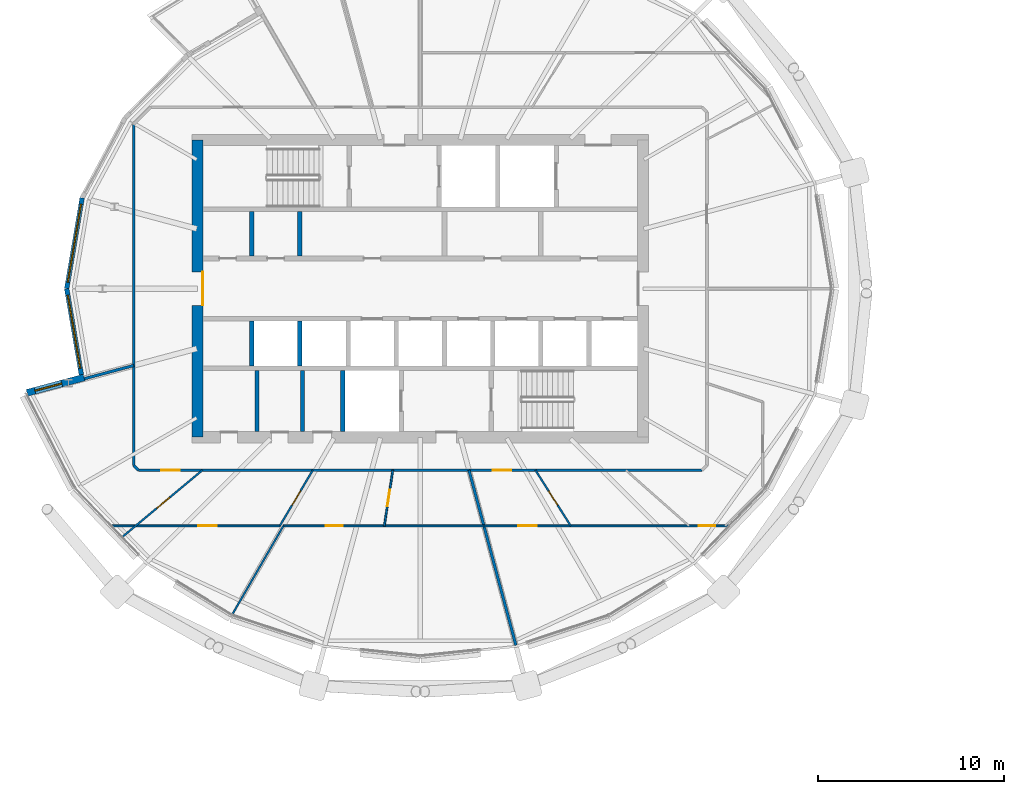
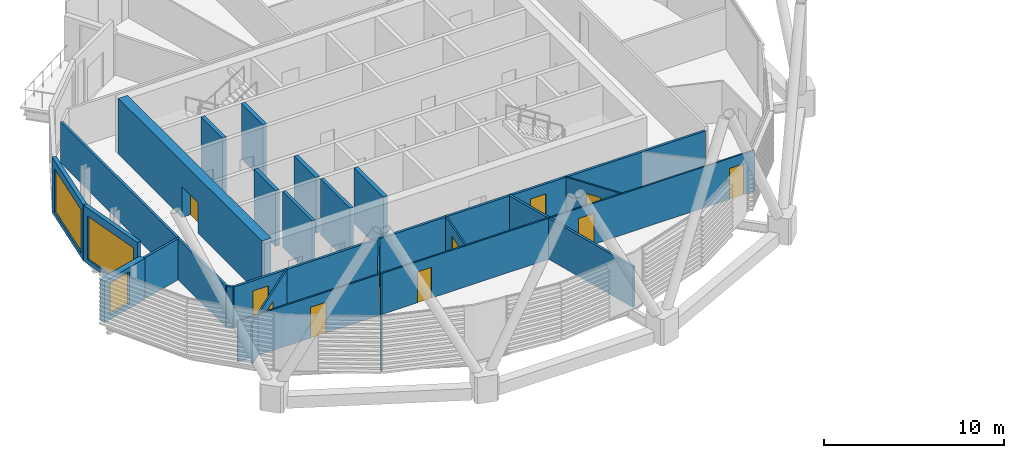
# One storey, part 21 of 37: 24 walls, 11 doors, 3 windows, 14 openings.
"""IFC4 building model written with IfcOpenShell, lengths in metres."""

from ifc_helpers import new_model, si_unit, direction, frame, frame_2d, origin, place, context, subcontext, project, spatial, rectangle, extrude, material, layer, layer_set, type_object, element, fill, save


model = new_model("IFC4")

# Units and contexts
model_context = context("Model", 3, precision=1e-05, world=origin(), true_north=direction((0.0, 1.0)))
body_context = subcontext(model_context, "Body", "Model", "MODEL_VIEW")
ifc_project = project(units=[si_unit("LENGTHUNIT", "METRE"), si_unit("AREAUNIT", "SQUARE_METRE"), si_unit("VOLUMEUNIT", "CUBIC_METRE"), si_unit("PLANEANGLEUNIT", "RADIAN"), si_unit("MASSUNIT", "GRAM", prefix="KILO")], contexts=[model_context])

# Site, building, storey
site_placement = place(None, origin())
site = spatial("IfcSite", under=ifc_project, at=site_placement, CompositionType="ELEMENT")
building_placement = place(site_placement, origin())
building = spatial("IfcBuilding", under=site, at=building_placement, Name="Rimbun Link Towers", CompositionType="ELEMENT")
storey_placement = place(building_placement, frame((0.0, 0.0, 170.300048828125)))
storey = spatial("IfcBuildingStorey", under=building, at=storey_placement, Name="L41", CompositionType="ELEMENT", Elevation=170.300048828125)

# Wall, opening, window
ifc_material_1 = material(Name="Dark enamelled glass spandrel on insulated aluminium backpan", Category="aluminium")
ifc_layer_1 = layer(ifc_material_1, 0.25)
ifc_layer_set_1 = layer_set([ifc_layer_1], Name="CS dark enamelled spandrel wall 250")
wall_type_1 = type_object("IfcWallType", Name="CS dark enamelled spandrel wall 250", PredefinedType="STANDARD", material=ifc_layer_set_1)
wall_1_placement = place(storey_placement, frame((-50.79541015625, 0.0, 0.0), z_axis=(0.0, 0.0, 1.0), x_axis=(0.16766295231, 0.985844376371, 0.0)))
wall_1 = element("IfcWall", 1, at=wall_1_placement, inside=storey, type_object=wall_type_1, Name="Crease spandrel wall", PredefinedType="STANDARD", context=body_context, shape_type="SweptSolid", body=[
    extrude(rectangle(XDim=4.959716796875, YDim=0.25, at=frame_2d((2.47998046875, 0.0))), origin(), (0.0, 0.0, 1.0), 3.800048828125),
])
opening_1_placement = place(wall_1_placement, frame((0.354736328125, 0.0, 0.300048828125)))
opening_1 = element("IfcOpeningElement", 2, at=opening_1_placement, cuts=wall_1, Name="Opening WR42H295", PredefinedType="OPENING", context=body_context, shape_type="SweptSolid", body=[
    extrude(rectangle(XDim=4.25, YDim=2.949951171875, at=frame_2d((2.125, 1.47509765625))), frame((0.0, 0.135009765625, 0.0), z_axis=(0.0, -1.0, 0.0), x_axis=(1.0, 0.0, 0.0)), (0.0, 0.0, 1.0), 0.27001953125),
])
ifc_material_2 = material(Name="Aluminium framed fixed window, dark tinted low-e glass", Category="aluminium")
window_type_1 = type_object("IfcWindowType", Name="WR ribbon window 4250X2950", PartitioningType="SINGLE_PANEL", PredefinedType="WINDOW", material=ifc_material_2)
window_1_placement = place(opening_1_placement, origin())
window_1 = element("IfcWindow", 3, at=window_1_placement, inside=storey, type_object=window_type_1, Name="Crease ribbon window", OverallHeight=2.949951171875, OverallWidth=4.25, PartitioningType="SINGLE_PANEL", PredefinedType="WINDOW", context=body_context, shape_type="SweptSolid", body=[
    extrude(rectangle(XDim=4.25, YDim=2.949951171875, at=frame_2d((2.125, 1.47509765625))), frame((0.0, 0.030029296875, 0.0), z_axis=(0.0, -1.0, 0.0), x_axis=(1.0, 0.0, 0.0)), (0.0, 0.0, 1.0), 0.06005859375),
])
fill(opening_1, window_1)

wall_2_placement = place(storey_placement, frame((-50.007568359375, -4.63330078125, 0.0), z_axis=(0.0, 0.0, 1.0), x_axis=(-0.167632854834, 0.985849494588, 0.0)))
wall_2 = element("IfcWall", 4, at=wall_2_placement, inside=storey, type_object=wall_type_1, Name="Crease spandrel wall", PredefinedType="STANDARD", context=body_context, shape_type="SweptSolid", body=[
    extrude(rectangle(XDim=4.69970703125, YDim=0.25, at=frame_2d((2.349853515625, 0.0))), origin(), (0.0, 0.0, 1.0), 3.800048828125),
])
opening_2_placement = place(wall_2_placement, frame((0.349853515625, 0.0, 0.300048828125)))
opening_2 = element("IfcOpeningElement", 5, at=opening_2_placement, cuts=wall_2, Name="Opening WR40H295", PredefinedType="OPENING", context=body_context, shape_type="SweptSolid", body=[
    extrude(rectangle(XDim=4.0, YDim=2.949951171875, at=frame_2d((2.0, 1.47509765625))), frame((0.0, 0.135009765625, 0.0), z_axis=(0.0, -1.0, 0.0), x_axis=(1.0, 0.0, 0.0)), (0.0, 0.0, 1.0), 0.27001953125),
])
ifc_material_3 = material(Name="Aluminium framed fixed window, dark tinted low-e glass", Category="aluminium")
window_type_2 = type_object("IfcWindowType", Name="WR ribbon window 4000X2950", PartitioningType="SINGLE_PANEL", PredefinedType="WINDOW", material=ifc_material_3)
window_2_placement = place(opening_2_placement, origin())
window_2 = element("IfcWindow", 6, at=window_2_placement, inside=storey, type_object=window_type_2, Name="Crease ribbon window", OverallHeight=2.949951171875, OverallWidth=4.0, PartitioningType="SINGLE_PANEL", PredefinedType="WINDOW", context=body_context, shape_type="SweptSolid", body=[
    extrude(rectangle(XDim=4.0, YDim=2.949951171875, at=frame_2d((2.0, 1.47509765625))), frame((0.0, 0.030029296875, 0.0), z_axis=(0.0, -1.0, 0.0), x_axis=(1.0, 0.0, 0.0)), (0.0, 0.0, 1.0), 0.06005859375),
])
fill(opening_2, window_2)

ifc_material_4 = material(Name="Dark enamelled glass spandrel on insulated aluminium backpan", Category="aluminium")
ifc_layer_2 = layer(ifc_material_4, 0.3701171875)
ifc_layer_set_2 = layer_set([ifc_layer_2], Name="CS dark enamelled spandrel wall 370")
wall_type_2 = type_object("IfcWallType", Name="CS dark enamelled spandrel wall 370", PredefinedType="STANDARD", material=ifc_layer_set_2)
wall_3_placement = place(storey_placement, frame((-52.9326171875, -5.608642578125, 0.0), z_axis=(0.0, 0.0, 1.0), x_axis=(0.96591309558, 0.258866552082, 0.0)))
wall_3 = element("IfcWall", 7, at=wall_3_placement, inside=storey, type_object=wall_type_2, Name="Crease spandrel wall", PredefinedType="STANDARD", context=body_context, shape_type="SweptSolid", body=[
    extrude(rectangle(XDim=3.18017578125, YDim=0.3701171875, at=frame_2d((1.590087890625, 0.0))), origin(), (0.0, 0.0, 1.0), 2.799072265625),
])
opening_3_placement = place(wall_3_placement, frame((0.44140625, 0.0, 0.300048828125)))
opening_3 = element("IfcOpeningElement", 8, at=opening_3_placement, cuts=wall_3, Name="Opening WR15H220", PredefinedType="OPENING", context=body_context, shape_type="SweptSolid", body=[
    extrude(rectangle(XDim=1.5, YDim=2.199951171875, at=frame_2d((0.75, 1.10009765625))), frame((0.0, 0.195068359375, 0.0), z_axis=(0.0, -1.0, 0.0), x_axis=(1.0, 0.0, 0.0)), (0.0, 0.0, 1.0), 0.39013671875),
])
ifc_material_5 = material(Name="Aluminium framed fixed window, dark tinted low-e glass", Category="aluminium")
window_type_3 = type_object("IfcWindowType", Name="WR ribbon window 1500X2200", PartitioningType="SINGLE_PANEL", PredefinedType="WINDOW", material=ifc_material_5)
window_3_placement = place(opening_3_placement, origin())
window_3 = element("IfcWindow", 9, at=window_3_placement, inside=storey, type_object=window_type_3, Name="Crease ribbon window", OverallHeight=2.199951171875, OverallWidth=1.5, PartitioningType="SINGLE_PANEL", PredefinedType="WINDOW", context=body_context, shape_type="SweptSolid", body=[
    extrude(rectangle(XDim=1.5, YDim=2.199951171875, at=frame_2d((0.75, 1.10009765625))), frame((0.0, 0.030029296875, 0.0), z_axis=(0.0, -1.0, 0.0), x_axis=(1.0, 0.0, 0.0)), (0.0, 0.0, 1.0), 0.06005859375),
])
fill(opening_3, window_3)

# Walls
ifc_material_6 = material(Name="Masonry blockwork", Category="masonry")
ifc_layer_3 = layer(ifc_material_6, 0.199951171875)
ifc_layer_set_3 = layer_set([ifc_layer_3], Name="Core partition 200")
wall_type_3 = type_object("IfcWallType", Name="Core partition 200", PredefinedType="PARTITIONING", material=ifc_layer_set_3)
for number, where, z_axis, x_axis, name in (
    (10, (-40.550048828125, -4.39990234375, 0.0), (0.0, 0.0, 1.0), (0.0, -1.0, 0.0), "L41 T1 core wall C1"),
    (11, (-38.10009765625, -4.39990234375, 0.0), (0.0, 0.0, 1.0), (0.0, -1.0, 0.0), "L41 T1 core wall C2"),
):
    element("IfcWall", number, at=place(storey_placement, frame(where, z_axis=z_axis, x_axis=x_axis)), inside=storey, type_object=wall_type_3, Name=name, PredefinedType="PARTITIONING", context=body_context, shape_type="SweptSolid", body=[
        extrude(rectangle(XDim=3.300048828125, YDim=0.199951171875, at=frame_2d((1.64990234375, 0.0))), origin(), (0.0, 0.0, 1.0), 3.800048828125),
    ])

# Wall, opening, door
ifc_material_7 = material(Name="Concrete C60/75", Category="concrete")
ifc_layer_4 = layer(ifc_material_7, 0.60009765625)
ifc_layer_set_4 = layer_set([ifc_layer_4], Name="Core shear wall 600")
wall_type_4 = type_object("IfcWallType", Name="Core shear wall 600", PredefinedType="SHEAR", material=ifc_layer_set_4)
wall_4_placement = place(storey_placement, frame((-43.75, -8.0, 0.0), z_axis=(0.0, 0.0, 1.0), x_axis=(0.0, 1.0, 0.0)))
wall_4 = element("IfcWall", 12, at=wall_4_placement, inside=storey, type_object=wall_type_4, Name="L41 T1 core wall W", PredefinedType="SHEAR", context=body_context, shape_type="SweptSolid", body=[
    extrude(rectangle(XDim=16.0, YDim=0.60009765625, at=frame_2d((8.0, 0.0))), origin(), (0.0, 0.0, 1.0), 3.800048828125),
])
opening_4_placement = place(wall_4_placement, frame((7.10009765625, 0.0, 0.0)))
opening_4 = element("IfcOpeningElement", 13, at=opening_4_placement, cuts=wall_4, Name="Opening C1DCL01W", PredefinedType="OPENING", context=body_context, shape_type="SweptSolid", body=[
    extrude(rectangle(XDim=1.800048828125, YDim=2.10009765625, at=frame_2d((0.89990234375, 1.050048828125))), frame((0.0, 0.31005859375, 0.0), z_axis=(0.0, -1.0, 0.0), x_axis=(1.0, 0.0, 0.0)), (0.0, 0.0, 1.0), 0.6201171875),
])
ifc_material_8 = material(Name="Steel fire door set", Category="steel")
door_type_1 = type_object("IfcDoorType", Name="Core lobby door double", OperationType="DOUBLE_DOOR_SINGLE_SWING", PredefinedType="DOOR", material=ifc_material_8)
door_1_placement = place(opening_4_placement, origin())
door_1 = element("IfcDoor", 14, at=door_1_placement, inside=storey, type_object=door_type_1, Name="L41 T1 lift lobby door", OperationType="DOUBLE_DOOR_SINGLE_SWING", OverallHeight=2.10009765625, OverallWidth=1.800048828125, PredefinedType="DOOR", context=body_context, shape_type="SweptSolid", body=[
    extrude(rectangle(XDim=1.800048828125, YDim=2.10009765625, at=frame_2d((0.89990234375, 1.050048828125))), frame((0.0, -0.25, 0.0), z_axis=(0.0, -1.0, 0.0), x_axis=(1.0, 0.0, 0.0)), (0.0, 0.0, 1.0), 0.050048828125),
])
fill(opening_4, door_1)

# Wall, openings, doors
ifc_material_9 = material(Name="Plasterboard on steel stud, mineral wool", Category="steel")
ifc_layer_5 = layer(ifc_material_9, 0.14990234375)
ifc_layer_set_5 = layer_set([ifc_layer_5], Name="Corridor wall EI 30 150 mm")
wall_type_5 = type_object("IfcWallType", Name="Corridor wall EI 30 150 mm", PredefinedType="PARTITIONING", material=ifc_layer_set_5)
wall_5_placement = place(storey_placement, frame((-16.576416015625, -9.77490234375, 0.0), z_axis=(0.0, 0.0, 1.0), x_axis=(-1.0, 0.0, 0.0)))
wall_5 = element("IfcWall", 15, at=wall_5_placement, inside=storey, type_object=wall_type_5, Name="Corridor wall EI 30 150 mm", PredefinedType="PARTITIONING", context=body_context, shape_type="SweptSolid", body=[
    extrude(rectangle(XDim=30.34716796875, YDim=0.14990234375, at=frame_2d((15.173583984375, 0.0))), origin(), (0.0, 0.0, 1.0), 2.7890625),
])
opening_5_placement = place(wall_5_placement, frame((28.128662109375, 0.0, 0.0)))
opening_5 = element("IfcOpeningElement", 16, at=opening_5_placement, cuts=wall_5, Name="Opening D01", PredefinedType="OPENING", context=body_context, shape_type="SweptSolid", body=[
    extrude(rectangle(XDim=1.0, YDim=2.10009765625, at=frame_2d((0.5, 1.050048828125))), frame((0.0, 0.0849609375, 0.0), z_axis=(0.0, -1.0, 0.0), x_axis=(1.0, 0.0, 0.0)), (0.0, 0.0, 1.0), 0.169921875),
])
opening_6_placement = place(wall_5_placement, frame((10.264892578125, 0.0, 0.0)))
opening_6 = element("IfcOpeningElement", 17, at=opening_6_placement, cuts=wall_5, Name="Opening D01", PredefinedType="OPENING", context=body_context, shape_type="SweptSolid", body=[
    extrude(rectangle(XDim=1.0, YDim=2.10009765625, at=frame_2d((0.5, 1.050048828125))), frame((0.0, 0.0849609375, 0.0), z_axis=(0.0, -1.0, 0.0), x_axis=(1.0, 0.0, 0.0)), (0.0, 0.0, 1.0), 0.169921875),
])
ifc_material_10 = material(Name="Fire-resisting timber door leaf", Category="wood")
door_type_2 = type_object("IfcDoorType", Name="Fire door FD30S 1000", OperationType="NOTDEFINED", PredefinedType="DOOR", material=ifc_material_10)
door_2_placement = place(opening_5_placement, origin())
door_2 = element("IfcDoor", 18, at=door_2_placement, inside=storey, type_object=door_type_2, Name="Fire door FD30S 1000 to Tenant lobby", OperationType="SINGLE_SWING_RIGHT", OverallHeight=2.10009765625, OverallWidth=1.0, PredefinedType="DOOR", context=body_context, shape_type="SweptSolid", body=[
    extrude(rectangle(XDim=1.0, YDim=2.10009765625, at=frame_2d((0.5, 1.050048828125))), frame((0.0, 0.02490234375, 0.0), z_axis=(0.0, -1.0, 0.0), x_axis=(1.0, 0.0, 0.0)), (0.0, 0.0, 1.0), 0.050048828125),
])
fill(opening_5, door_2)
door_3_placement = place(opening_6_placement, origin())
door_3 = element("IfcDoor", 19, at=door_3_placement, inside=storey, type_object=door_type_2, Name="Fire door FD30S 1000 to Tenant lobby", OperationType="SINGLE_SWING_RIGHT", OverallHeight=2.10009765625, OverallWidth=1.0, PredefinedType="DOOR", context=body_context, shape_type="SweptSolid", body=[
    extrude(rectangle(XDim=1.0, YDim=2.10009765625, at=frame_2d((0.5, 1.050048828125))), frame((0.0, 0.02490234375, 0.0), z_axis=(0.0, -1.0, 0.0), x_axis=(1.0, 0.0, 0.0)), (0.0, 0.0, 1.0), 0.050048828125),
])
fill(opening_6, door_3)

# Walls
wall_6_placement = place(storey_placement, frame((-47.18505859375, -9.513671875, 0.0), z_axis=(0.0, 0.0, 1.0), x_axis=(0.707436973419, -0.706776434695, 0.0)))
element("IfcWall", 20, at=wall_6_placement, inside=storey, type_object=wall_type_5, Name="Corridor wall EI 30 150 mm", PredefinedType="PARTITIONING", context=body_context, shape_type="SweptSolid", body=[
    extrude(rectangle(XDim=0.36962890625, YDim=0.14990234375, at=frame_2d((0.184814453125, 0.0))), origin(), (0.0, 0.0, 1.0), 2.7890625),
])
wall_7_placement = place(storey_placement, frame((-47.18505859375, 8.8544921875, 0.0), z_axis=(0.0, 0.0, 1.0), x_axis=(0.0, -1.0, 0.0)))
element("IfcWall", 21, at=wall_7_placement, inside=storey, type_object=wall_type_5, Name="Corridor wall EI 30 150 mm", PredefinedType="PARTITIONING", context=body_context, shape_type="SweptSolid", body=[
    extrude(rectangle(XDim=18.3681640625, YDim=0.14990234375, at=frame_2d((9.18408203125, 0.0))), origin(), (0.0, 0.0, 1.0), 2.7890625),
])

# Wall, opening, door
ifc_material_11 = material(Name="Plasterboard on steel stud", Category="steel")
ifc_layer_6 = layer(ifc_material_11, 0.10009765625)
ifc_layer_set_6 = layer_set([ifc_layer_6], Name="Plasterboard partition 100 mm")
wall_type_6 = type_object("IfcWallType", Name="Plasterboard partition 100 mm", PredefinedType="PARTITIONING", material=ifc_layer_set_6)
wall_8_placement = place(storey_placement, frame((-43.486328125, -9.77490234375, 0.0), z_axis=(0.0, 0.0, 1.0), x_axis=(-0.768385030007, -0.639987848057, 0.0)))
wall_8 = element("IfcWall", 22, at=wall_8_placement, inside=storey, type_object=wall_type_6, Name="Plasterboard partition 100 mm", PredefinedType="PARTITIONING", context=body_context, shape_type="SweptSolid", body=[
    extrude(rectangle(XDim=5.62060546875, YDim=0.10009765625, at=frame_2d((2.810302734375, 0.0))), origin(), (0.0, 0.0, 1.0), 2.7890625),
])
opening_7_placement = place(wall_8_placement, frame((2.293701171875, 0.0, 0.0)))
opening_7 = element("IfcOpeningElement", 23, at=opening_7_placement, cuts=wall_8, Name="Opening D04", PredefinedType="OPENING", context=body_context, shape_type="SweptSolid", body=[
    extrude(rectangle(XDim=0.89990234375, YDim=2.10009765625, at=frame_2d((0.449951171875, 1.050048828125))), frame((0.0, 0.06005859375, 0.0), z_axis=(0.0, -1.0, 0.0), x_axis=(1.0, 0.0, 0.0)), (0.0, 0.0, 1.0), 0.1201171875),
])
ifc_material_12 = material(Name="Timber door leaf", Category="wood")
door_type_3 = type_object("IfcDoorType", Name="Flush door 900", OperationType="NOTDEFINED", PredefinedType="DOOR", material=ifc_material_12)
door_4_placement = place(opening_7_placement, origin())
door_4 = element("IfcDoor", 24, at=door_4_placement, inside=storey, type_object=door_type_3, Name="Flush door 900 to Huddle room", OperationType="SINGLE_SWING_RIGHT", OverallHeight=2.10009765625, OverallWidth=0.89990234375, PredefinedType="DOOR", context=body_context, shape_type="SweptSolid", body=[
    extrude(rectangle(XDim=0.89990234375, YDim=2.10009765625, at=frame_2d((0.449951171875, 1.050048828125))), frame((0.0, 0.02490234375, 0.0), z_axis=(0.0, -1.0, 0.0), x_axis=(1.0, 0.0, 0.0)), (0.0, 0.0, 1.0), 0.050048828125),
])
fill(opening_7, door_4)

wall_9_placement = place(storey_placement, frame((-39.28662109375, -12.77490234375, 0.0), z_axis=(0.0, 0.0, 1.0), x_axis=(-1.0, 0.0, 0.0)))
wall_9 = element("IfcWall", 25, at=wall_9_placement, inside=storey, type_object=wall_type_6, Name="Plasterboard partition 100 mm", PredefinedType="PARTITIONING", context=body_context, shape_type="SweptSolid", body=[
    extrude(rectangle(XDim=9.085205078125, YDim=0.10009765625, at=frame_2d((4.54248046875, 0.0))), origin(), (0.0, 0.0, 1.0), 2.7890625),
])
opening_8_placement = place(wall_9_placement, frame((3.416015625, 0.0, 0.0)))
opening_8 = element("IfcOpeningElement", 26, at=opening_8_placement, cuts=wall_9, Name="Opening D03", PredefinedType="OPENING", context=body_context, shape_type="SweptSolid", body=[
    extrude(rectangle(XDim=1.0, YDim=2.10009765625, at=frame_2d((0.5, 1.050048828125))), frame((0.0, 0.06005859375, 0.0), z_axis=(0.0, -1.0, 0.0), x_axis=(1.0, 0.0, 0.0)), (0.0, 0.0, 1.0), 0.1201171875),
])
ifc_material_13 = material(Name="Timber door leaf", Category="wood")
door_type_4 = type_object("IfcDoorType", Name="Flush door 1000", OperationType="NOTDEFINED", PredefinedType="DOOR", material=ifc_material_13)
door_5_placement = place(opening_8_placement, origin())
door_5 = element("IfcDoor", 27, at=door_5_placement, inside=storey, type_object=door_type_4, Name="Flush door 1000 to Open office", OperationType="SINGLE_SWING_RIGHT", OverallHeight=2.10009765625, OverallWidth=1.0, PredefinedType="DOOR", context=body_context, shape_type="SweptSolid", body=[
    extrude(rectangle(XDim=1.0, YDim=2.10009765625, at=frame_2d((0.5, 1.050048828125))), frame((0.0, 0.02490234375, 0.0), z_axis=(0.0, -1.0, 0.0), x_axis=(1.0, 0.0, 0.0)), (0.0, 0.0, 1.0), 0.050048828125),
])
fill(opening_8, door_5)

wall_10_placement = place(storey_placement, frame((-37.54345703125, -9.77490234375, 0.0), z_axis=(0.0, 0.0, 1.0), x_axis=(-0.509865715638, -0.86025400436, 0.0)))
wall_10 = element("IfcWall", 28, at=wall_10_placement, inside=storey, type_object=wall_type_6, Name="Plasterboard partition 100 mm", PredefinedType="PARTITIONING", context=body_context, shape_type="SweptSolid", body=[
    extrude(rectangle(XDim=3.4873046875, YDim=0.10009765625, at=frame_2d((1.74365234375, 0.0))), origin(), (0.0, 0.0, 1.0), 2.7890625),
])
opening_9_placement = place(wall_10_placement, frame((1.293701171875, 0.0, 0.0)))
opening_9 = element("IfcOpeningElement", 29, at=opening_9_placement, cuts=wall_10, Name="Opening D04", PredefinedType="OPENING", context=body_context, shape_type="SweptSolid", body=[
    extrude(rectangle(XDim=0.89990234375, YDim=2.10009765625, at=frame_2d((0.449951171875, 1.050048828125))), frame((0.0, 0.06005859375, 0.0), z_axis=(0.0, -1.0, 0.0), x_axis=(1.0, 0.0, 0.0)), (0.0, 0.0, 1.0), 0.1201171875),
])
door_6_placement = place(opening_9_placement, origin())
door_6 = element("IfcDoor", 30, at=door_6_placement, inside=storey, type_object=door_type_3, Name="Flush door 900 to Huddle room", OperationType="SINGLE_SWING_RIGHT", OverallHeight=2.10009765625, OverallWidth=0.89990234375, PredefinedType="DOOR", context=body_context, shape_type="SweptSolid", body=[
    extrude(rectangle(XDim=0.89990234375, YDim=2.10009765625, at=frame_2d((0.449951171875, 1.050048828125))), frame((0.0, 0.02490234375, 0.0), z_axis=(0.0, -1.0, 0.0), x_axis=(1.0, 0.0, 0.0)), (0.0, 0.0, 1.0), 0.050048828125),
])
fill(opening_9, door_6)

wall_11_placement = place(storey_placement, frame((-33.23388671875, -9.77490234375, 0.0), z_axis=(0.0, 0.0, 1.0), x_axis=(-0.15013428037, -0.988665614785, 0.0)))
wall_11 = element("IfcWall", 31, at=wall_11_placement, inside=storey, type_object=wall_type_6, Name="Plasterboard partition 100 mm", PredefinedType="PARTITIONING", context=body_context, shape_type="SweptSolid", body=[
    extrude(rectangle(XDim=3.034423828125, YDim=0.10009765625, at=frame_2d((1.51708984375, 0.0))), origin(), (0.0, 0.0, 1.0), 2.7890625),
])
opening_10_placement = place(wall_11_placement, frame((1.067138671875, 0.0, 0.0)))
opening_10 = element("IfcOpeningElement", 32, at=opening_10_placement, cuts=wall_11, Name="Opening D04", PredefinedType="OPENING", context=body_context, shape_type="SweptSolid", body=[
    extrude(rectangle(XDim=0.89990234375, YDim=2.10009765625, at=frame_2d((0.449951171875, 1.050048828125))), frame((0.0, 0.06005859375, 0.0), z_axis=(0.0, -1.0, 0.0), x_axis=(1.0, 0.0, 0.0)), (0.0, 0.0, 1.0), 0.1201171875),
])
door_7_placement = place(opening_10_placement, origin())
door_7 = element("IfcDoor", 33, at=door_7_placement, inside=storey, type_object=door_type_3, Name="Flush door 900 to Pantry", OperationType="SINGLE_SWING_LEFT", OverallHeight=2.10009765625, OverallWidth=0.89990234375, PredefinedType="DOOR", context=body_context, shape_type="SweptSolid", body=[
    extrude(rectangle(XDim=0.89990234375, YDim=2.10009765625, at=frame_2d((0.449951171875, 1.050048828125))), frame((0.0, 0.02490234375, 0.0), z_axis=(0.0, -1.0, 0.0), x_axis=(1.0, 0.0, 0.0)), (0.0, 0.0, 1.0), 0.050048828125),
])
fill(opening_10, door_7)

wall_12_placement = place(storey_placement, frame((-28.326904296875, -12.77490234375, 0.0), z_axis=(0.0, 0.0, 1.0), x_axis=(-1.0, 0.0, 0.0)))
wall_12 = element("IfcWall", 34, at=wall_12_placement, inside=storey, type_object=wall_type_6, Name="Plasterboard partition 100 mm", PredefinedType="PARTITIONING", context=body_context, shape_type="SweptSolid", body=[
    extrude(rectangle(XDim=10.798828125, YDim=0.10009765625, at=frame_2d((5.3994140625, 0.0))), origin(), (0.0, 0.0, 1.0), 2.7890625),
])
opening_11_placement = place(wall_12_placement, frame((7.615478515625, 0.0, 0.0)))
opening_11 = element("IfcOpeningElement", 35, at=opening_11_placement, cuts=wall_12, Name="Opening D04", PredefinedType="OPENING", context=body_context, shape_type="SweptSolid", body=[
    extrude(rectangle(XDim=0.89990234375, YDim=2.10009765625, at=frame_2d((0.449951171875, 1.050048828125))), frame((0.0, 0.06005859375, 0.0), z_axis=(0.0, -1.0, 0.0), x_axis=(1.0, 0.0, 0.0)), (0.0, 0.0, 1.0), 0.1201171875),
])
door_8_placement = place(opening_11_placement, origin())
door_8 = element("IfcDoor", 36, at=door_8_placement, inside=storey, type_object=door_type_3, Name="Flush door 900 to Project room", OperationType="SINGLE_SWING_LEFT", OverallHeight=2.10009765625, OverallWidth=0.89990234375, PredefinedType="DOOR", context=body_context, shape_type="SweptSolid", body=[
    extrude(rectangle(XDim=0.89990234375, YDim=2.10009765625, at=frame_2d((0.449951171875, 1.050048828125))), frame((0.0, 0.02490234375, 0.0), z_axis=(0.0, -1.0, 0.0), x_axis=(1.0, 0.0, 0.0)), (0.0, 0.0, 1.0), 0.050048828125),
])
fill(opening_11, door_8)

# Wall
wall_13_placement = place(storey_placement, frame((-41.884521484375, -17.5537109375, 0.0), z_axis=(0.0, 0.0, 1.0), x_axis=(0.499965018551, 0.866045599391, 0.0)))
element("IfcWall", 37, at=wall_13_placement, inside=storey, type_object=wall_type_6, Name="Plasterboard partition 100 mm", PredefinedType="PARTITIONING", context=body_context, shape_type="SweptSolid", body=[
    extrude(rectangle(XDim=5.51806640625, YDim=0.10009765625, at=frame_2d((2.759033203125, 0.0))), origin(), (0.0, 0.0, 1.0), 2.7890625),
])

# Wall, opening, door
wall_14_placement = place(storey_placement, frame((-25.5517578125, -9.77490234375, 0.0), z_axis=(0.0, 0.0, 1.0), x_axis=(0.535522897054, -0.84452070829, 0.0)))
wall_14 = element("IfcWall", 38, at=wall_14_placement, inside=storey, type_object=wall_type_6, Name="Plasterboard partition 100 mm", PredefinedType="PARTITIONING", context=body_context, shape_type="SweptSolid", body=[
    extrude(rectangle(XDim=3.55224609375, YDim=0.10009765625, at=frame_2d((1.776123046875, 0.0))), origin(), (0.0, 0.0, 1.0), 2.7890625),
])
opening_12_placement = place(wall_14_placement, frame((1.326171875, 0.0, 0.0)))
opening_12 = element("IfcOpeningElement", 39, at=opening_12_placement, cuts=wall_14, Name="Opening D04", PredefinedType="OPENING", context=body_context, shape_type="SweptSolid", body=[
    extrude(rectangle(XDim=0.89990234375, YDim=2.10009765625, at=frame_2d((0.449951171875, 1.050048828125))), frame((0.0, 0.06005859375, 0.0), z_axis=(0.0, -1.0, 0.0), x_axis=(1.0, 0.0, 0.0)), (0.0, 0.0, 1.0), 0.1201171875),
])
door_9_placement = place(opening_12_placement, origin())
door_9 = element("IfcDoor", 40, at=door_9_placement, inside=storey, type_object=door_type_3, Name="Flush door 900 to Huddle room", OperationType="SINGLE_SWING_RIGHT", OverallHeight=2.10009765625, OverallWidth=0.89990234375, PredefinedType="DOOR", context=body_context, shape_type="SweptSolid", body=[
    extrude(rectangle(XDim=0.89990234375, YDim=2.10009765625, at=frame_2d((0.449951171875, 1.050048828125))), frame((0.0, 0.02490234375, 0.0), z_axis=(0.0, -1.0, 0.0), x_axis=(1.0, 0.0, 0.0)), (0.0, 0.0, 1.0), 0.050048828125),
])
fill(opening_12, door_9)

# Wall, openings, doors
wall_15_placement = place(storey_placement, frame((-15.128173828125, -12.77490234375, 0.0), z_axis=(0.0, 0.0, 1.0), x_axis=(-1.0, 0.0, 0.0)))
wall_15 = element("IfcWall", 41, at=wall_15_placement, inside=storey, type_object=wall_type_6, Name="Plasterboard partition 100 mm", PredefinedType="PARTITIONING", context=body_context, shape_type="SweptSolid", body=[
    extrude(rectangle(XDim=13.19873046875, YDim=0.10009765625, at=frame_2d((6.599365234375, 0.0))), origin(), (0.0, 0.0, 1.0), 2.7890625),
])
opening_13_placement = place(wall_15_placement, frame((10.344970703125, 0.0, 0.0)))
opening_13 = element("IfcOpeningElement", 42, at=opening_13_placement, cuts=wall_15, Name="Opening D03", PredefinedType="OPENING", context=body_context, shape_type="SweptSolid", body=[
    extrude(rectangle(XDim=1.0, YDim=2.10009765625, at=frame_2d((0.5, 1.050048828125))), frame((0.0, 0.06005859375, 0.0), z_axis=(0.0, -1.0, 0.0), x_axis=(1.0, 0.0, 0.0)), (0.0, 0.0, 1.0), 0.1201171875),
])
opening_14_placement = place(wall_15_placement, frame((0.72998046875, 0.0, 0.0)))
opening_14 = element("IfcOpeningElement", 43, at=opening_14_placement, cuts=wall_15, Name="Opening D04", PredefinedType="OPENING", context=body_context, shape_type="SweptSolid", body=[
    extrude(rectangle(XDim=0.89990234375, YDim=2.10009765625, at=frame_2d((0.449951171875, 1.050048828125))), frame((0.0, 0.06005859375, 0.0), z_axis=(0.0, -1.0, 0.0), x_axis=(1.0, 0.0, 0.0)), (0.0, 0.0, 1.0), 0.1201171875),
])
door_10_placement = place(opening_13_placement, origin())
door_10 = element("IfcDoor", 44, at=door_10_placement, inside=storey, type_object=door_type_4, Name="Flush door 1000 to Open office", OperationType="SINGLE_SWING_RIGHT", OverallHeight=2.10009765625, OverallWidth=1.0, PredefinedType="DOOR", context=body_context, shape_type="SweptSolid", body=[
    extrude(rectangle(XDim=1.0, YDim=2.10009765625, at=frame_2d((0.5, 1.050048828125))), frame((0.0, 0.02490234375, 0.0), z_axis=(0.0, -1.0, 0.0), x_axis=(1.0, 0.0, 0.0)), (0.0, 0.0, 1.0), 0.050048828125),
])
fill(opening_13, door_10)
door_11_placement = place(opening_14_placement, origin())
door_11 = element("IfcDoor", 45, at=door_11_placement, inside=storey, type_object=door_type_3, Name="Flush door 900 to Huddle room", OperationType="SINGLE_SWING_RIGHT", OverallHeight=2.10009765625, OverallWidth=0.89990234375, PredefinedType="DOOR", context=body_context, shape_type="SweptSolid", body=[
    extrude(rectangle(XDim=0.89990234375, YDim=2.10009765625, at=frame_2d((0.449951171875, 1.050048828125))), frame((0.0, 0.02490234375, 0.0), z_axis=(0.0, -1.0, 0.0), x_axis=(1.0, 0.0, 0.0)), (0.0, 0.0, 1.0), 0.050048828125),
])
fill(opening_14, door_11)

# Walls
ifc_material_14 = material(Name="Concrete C60/75", Category="concrete")
ifc_layer_7 = layer(ifc_material_14, 0.25)
ifc_layer_set_7 = layer_set([ifc_layer_7], Name="Shaft wall 250")
wall_type_7 = type_object("IfcWallType", Name="Shaft wall 250", PredefinedType="SHEAR", material=ifc_layer_set_7)
for number, where, z_axis, x_axis, name in (
    (46, (-40.83056640625, 1.75, 0.0), (0.0, 0.0, 1.0), (0.0, 1.0, 0.0), "L41 T1 core wall DN0"),
    (47, (-38.236083984375, 1.75, 0.0), (0.0, 0.0, 1.0), (0.0, 1.0, 0.0), "L41 T1 core wall DN1"),
    (48, (-40.83056640625, -4.14990234375, 0.0), (0.0, 0.0, 1.0), (0.0, 1.0, 0.0), "L41 T1 core wall DS0"),
    (49, (-38.236083984375, -4.14990234375, 0.0), (0.0, 0.0, 1.0), (0.0, 1.0, 0.0), "L41 T1 core wall DS1"),
):
    element("IfcWall", number, at=place(storey_placement, frame(where, z_axis=z_axis, x_axis=x_axis)), inside=storey, type_object=wall_type_7, Name=name, PredefinedType="SHEAR", context=body_context, shape_type="SweptSolid", body=[
        extrude(rectangle(XDim=2.39990234375, YDim=0.25, at=frame_2d((1.199951171875, 0.0))), origin(), (0.0, 0.0, 1.0), 3.800048828125),
    ])
wall_16_placement = place(storey_placement, frame((-35.925048828125, -4.39990234375, 0.0), z_axis=(0.0, 0.0, 1.0), x_axis=(0.0, -1.0, 0.0)))
element("IfcWall", 50, at=wall_16_placement, inside=storey, type_object=wall_type_7, Name="L41 T1 core wall B3", PredefinedType="SHEAR", context=body_context, shape_type="SweptSolid", body=[
    extrude(rectangle(XDim=3.300048828125, YDim=0.25, at=frame_2d((1.64990234375, 0.0))), origin(), (0.0, 0.0, 1.0), 3.800048828125),
])
ifc_material_15 = material(Name="Plasterboard on steel stud, mineral wool", Category="steel")
ifc_layer_8 = layer(ifc_material_15, 0.14990234375)
ifc_layer_set_8 = layer_set([ifc_layer_8], Name="Tenancy separation wall EI 60 150 mm")
wall_type_8 = type_object("IfcWallType", Name="Tenancy separation wall EI 60 150 mm", PredefinedType="PARTITIONING", material=ifc_layer_set_8)
wall_17_placement = place(storey_placement, frame((-47.18505859375, -4.1357421875, 0.0), z_axis=(0.0, 0.0, 1.0), x_axis=(-0.965908854841, -0.258882375106, 0.0)))
element("IfcWall", 51, at=wall_17_placement, inside=storey, type_object=wall_type_8, Name="Tenancy separation wall EI 60 150 mm", PredefinedType="PARTITIONING", context=body_context, shape_type="SweptSolid", body=[
    extrude(rectangle(XDim=2.752685546875, YDim=0.14990234375, at=frame_2d((1.37646484375, 0.0))), origin(), (0.0, 0.0, 1.0), 2.7890625),
])
wall_18_placement = place(storey_placement, frame((-29.130859375, -9.77490234375, 0.0), z_axis=(0.0, 0.0, 1.0), x_axis=(0.258832734057, -0.965922158241, 0.0)))
element("IfcWall", 52, at=wall_18_placement, inside=storey, type_object=wall_type_8, Name="Tenancy separation wall EI 60 150 mm", PredefinedType="PARTITIONING", context=body_context, shape_type="SweptSolid", body=[
    extrude(rectangle(XDim=9.764404296875, YDim=0.14990234375, at=frame_2d((4.88232421875, 0.0))), origin(), (0.0, 0.0, 1.0), 2.7890625),
])

save(model, "model.ifc")
